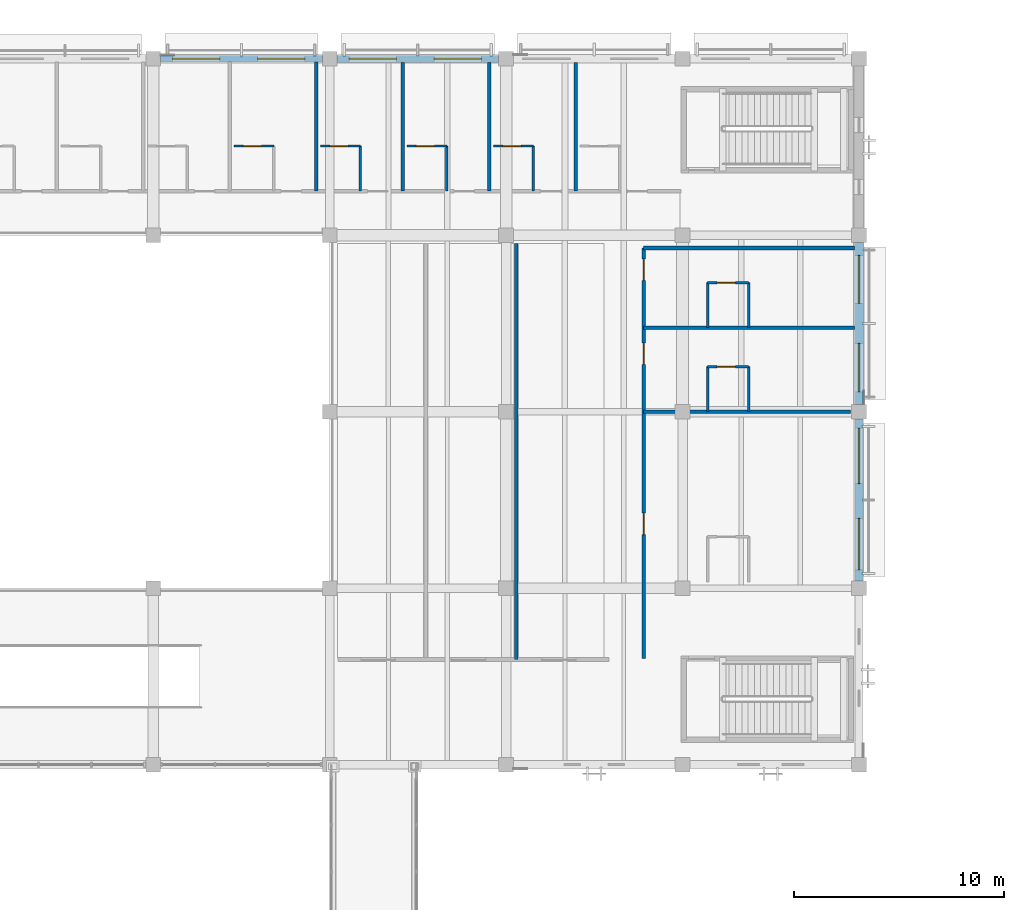
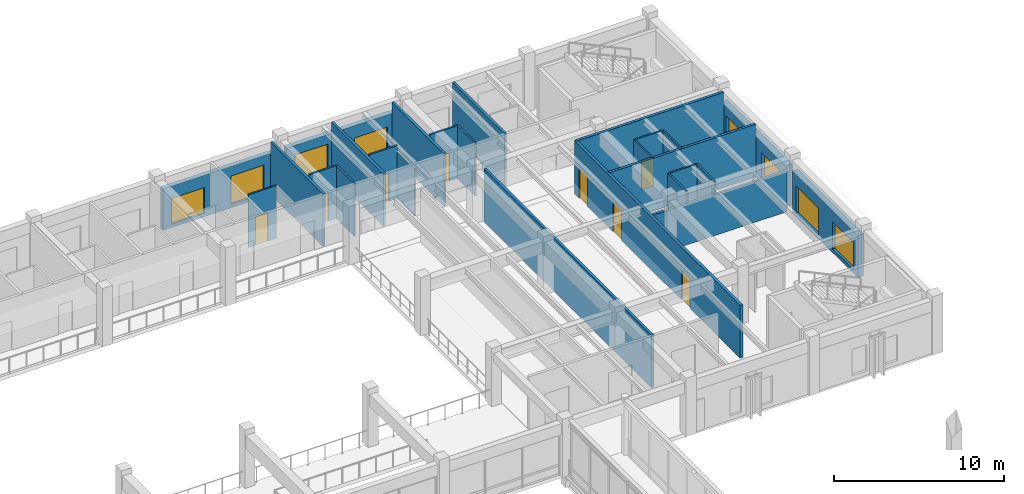
# One storey, part 97 of 132: 26 walls, 9 doors, 8 windows, 17 openings.
"""IFC4 building model written with IfcOpenShell, lengths in metres."""

from ifc_helpers import new_model, si_unit, direction, frame, frame_2d, origin, place, context, subcontext, project, spatial, rectangle, extrude, material, layer, layer_set, type_object, element, fill, save


model = new_model("IFC4")

# Units and contexts
model_context = context("Model", 3, precision=1e-05, world=origin(), true_north=direction((0.0, 1.0)))
body_context = subcontext(model_context, "Body", "Model", "MODEL_VIEW")
ifc_project = project(units=[si_unit("LENGTHUNIT", "METRE"), si_unit("AREAUNIT", "SQUARE_METRE"), si_unit("VOLUMEUNIT", "CUBIC_METRE"), si_unit("PLANEANGLEUNIT", "RADIAN"), si_unit("MASSUNIT", "GRAM", prefix="KILO")], contexts=[model_context])

# Site, building, storey
site_placement = place(None, origin())
site = spatial("IfcSite", under=ifc_project, at=site_placement, CompositionType="ELEMENT")
building_placement = place(site_placement, origin())
building = spatial("IfcBuilding", under=site, at=building_placement, Name="Cumbredor Promenade Congress Hotel", CompositionType="ELEMENT")
storey_placement = place(building_placement, frame((0.0, 0.0, 7.56005859375)))
storey = spatial("IfcBuildingStorey", under=building, at=storey_placement, Name="L02", CompositionType="ELEMENT", Elevation=7.56005859375)

# Wall, opening, door
ifc_material_1 = material(Name="Moisture-resistant gypsum board on steel studs", Category="steel")
ifc_layer_1 = layer(ifc_material_1, 0.114990234375, Name="Moisture-resistant gypsum board on steel studs", Category="steel")
ifc_layer_set_1 = layer_set([ifc_layer_1], Name="Moisture-resistant gypsum board on steel studs")
wall_type_1 = type_object("IfcWallType", Name="WL-BATH-115", PredefinedType="PARTITIONING", material=ifc_layer_set_1)
wall_1_placement = place(storey_placement, frame((146.639892578125, 113.449951171875, 0.0), z_axis=(0.0, 0.0, 1.0), x_axis=(1.0, 0.0, 0.0)))
wall_1 = element("IfcWall", 1, at=wall_1_placement, inside=storey, type_object=wall_type_1, Name="L02 Interior Partition W-L02-FBH-F0208", PredefinedType="PARTITIONING", context=body_context, shape_type="SweptSolid", body=[
    extrude(rectangle(XDim=1.900146484375, YDim=0.114990234375, at=frame_2d((0.9501953125, 0.0))), origin(), (0.0, 0.0, 1.0), 3.800048828125),
])
opening_1_placement = place(wall_1_placement, frame((0.449951171875, 0.0, 0.0)))
opening_1 = element("IfcOpeningElement", 2, at=opening_1_placement, cuts=wall_1, Name="Opening ID-01", PredefinedType="OPENING", context=body_context, shape_type="SweptSolid", body=[
    extrude(rectangle(XDim=0.860107421875, YDim=2.050048828125, at=frame_2d((0.43017578125, 1.02490234375))), frame((0.0, 0.0673828125, 0.0), z_axis=(0.0, -1.0, 0.0), x_axis=(1.0, 0.0, 0.0)), (0.0, 0.0, 1.0), 0.135009765625),
])
ifc_material_2 = material(Name="Kiln-dried tropical hardwood", Category="wood")
door_type_1 = type_object("IfcDoorType", Name="DR-BATH-860", OperationType="NOTDEFINED", PredefinedType="DOOR", material=ifc_material_2)
door_1_placement = place(opening_1_placement, origin())
door_1 = element("IfcDoor", 3, at=door_1_placement, inside=storey, type_object=door_type_1, Name="L02 Interior Door W-L02-FBH-F0208-01", OperationType="SINGLE_SWING_LEFT", OverallHeight=2.050048828125, OverallWidth=0.860107421875, PredefinedType="DOOR", context=body_context, shape_type="SweptSolid", body=[
    extrude(rectangle(XDim=0.860107421875, YDim=2.050048828125, at=frame_2d((0.43017578125, 1.02490234375))), frame((0.0, 0.02490234375, 0.0), z_axis=(0.0, -1.0, 0.0), x_axis=(1.0, 0.0, 0.0)), (0.0, 0.0, 1.0), 0.050048828125),
])
fill(opening_1, door_1)

wall_2_placement = place(storey_placement, frame((150.760009765625, 113.449951171875, 0.0), z_axis=(0.0, 0.0, 1.0), x_axis=(1.0, 0.0, 0.0)))
wall_2 = element("IfcWall", 4, at=wall_2_placement, inside=storey, type_object=wall_type_1, Name="L02 Interior Partition W-L02-FBH-F0209", PredefinedType="PARTITIONING", context=body_context, shape_type="SweptSolid", body=[
    extrude(rectangle(XDim=1.89990234375, YDim=0.114990234375, at=frame_2d((0.949951171875, 0.0))), origin(), (0.0, 0.0, 1.0), 3.800048828125),
])
opening_2_placement = place(wall_2_placement, frame((0.449951171875, 0.0, 0.0)))
opening_2 = element("IfcOpeningElement", 5, at=opening_2_placement, cuts=wall_2, Name="Opening ID-01", PredefinedType="OPENING", context=body_context, shape_type="SweptSolid", body=[
    extrude(rectangle(XDim=0.860107421875, YDim=2.050048828125, at=frame_2d((0.43017578125, 1.02490234375))), frame((0.0, 0.0673828125, 0.0), z_axis=(0.0, -1.0, 0.0), x_axis=(1.0, 0.0, 0.0)), (0.0, 0.0, 1.0), 0.135009765625),
])
door_2_placement = place(opening_2_placement, origin())
door_2 = element("IfcDoor", 6, at=door_2_placement, inside=storey, type_object=door_type_1, Name="L02 Interior Door W-L02-FBH-F0209-01", OperationType="SINGLE_SWING_RIGHT", OverallHeight=2.050048828125, OverallWidth=0.860107421875, PredefinedType="DOOR", context=body_context, shape_type="SweptSolid", body=[
    extrude(rectangle(XDim=0.860107421875, YDim=2.050048828125, at=frame_2d((0.43017578125, 1.02490234375))), frame((0.0, 0.02490234375, 0.0), z_axis=(0.0, -1.0, 0.0), x_axis=(1.0, 0.0, 0.0)), (0.0, 0.0, 1.0), 0.050048828125),
])
fill(opening_2, door_2)

# Wall
wall_3_placement = place(storey_placement, frame((152.659912109375, 111.300048828125, 0.0), z_axis=(0.0, 0.0, 1.0), x_axis=(0.0, 1.0, 0.0)))
element("IfcWall", 7, at=wall_3_placement, inside=storey, type_object=wall_type_1, Name="L02 Interior Partition W-L02-FBV-F0209", PredefinedType="PARTITIONING", context=body_context, shape_type="SweptSolid", body=[
    extrude(rectangle(XDim=2.14990234375, YDim=0.114990234375, at=frame_2d((1.074951171875, 0.0))), origin(), (0.0, 0.0, 1.0), 3.800048828125),
])

# Wall, opening, door
wall_4_placement = place(storey_placement, frame((154.8798828125, 113.449951171875, 0.0), z_axis=(0.0, 0.0, 1.0), x_axis=(1.0, 0.0, 0.0)))
wall_4 = element("IfcWall", 8, at=wall_4_placement, inside=storey, type_object=wall_type_1, Name="L02 Interior Partition W-L02-FBH-F0210", PredefinedType="PARTITIONING", context=body_context, shape_type="SweptSolid", body=[
    extrude(rectangle(XDim=1.900146484375, YDim=0.114990234375, at=frame_2d((0.9501953125, 0.0))), origin(), (0.0, 0.0, 1.0), 3.800048828125),
])
opening_3_placement = place(wall_4_placement, frame((0.449951171875, 0.0, 0.0)))
opening_3 = element("IfcOpeningElement", 9, at=opening_3_placement, cuts=wall_4, Name="Opening ID-01", PredefinedType="OPENING", context=body_context, shape_type="SweptSolid", body=[
    extrude(rectangle(XDim=0.860107421875, YDim=2.050048828125, at=frame_2d((0.43017578125, 1.02490234375))), frame((0.0, 0.0673828125, 0.0), z_axis=(0.0, -1.0, 0.0), x_axis=(1.0, 0.0, 0.0)), (0.0, 0.0, 1.0), 0.135009765625),
])
door_3_placement = place(opening_3_placement, origin())
door_3 = element("IfcDoor", 10, at=door_3_placement, inside=storey, type_object=door_type_1, Name="L02 Interior Door W-L02-FBH-F0210-01", OperationType="SINGLE_SWING_LEFT", OverallHeight=2.050048828125, OverallWidth=0.860107421875, PredefinedType="DOOR", context=body_context, shape_type="SweptSolid", body=[
    extrude(rectangle(XDim=0.860107421875, YDim=2.050048828125, at=frame_2d((0.43017578125, 1.02490234375))), frame((0.0, 0.02490234375, 0.0), z_axis=(0.0, -1.0, 0.0), x_axis=(1.0, 0.0, 0.0)), (0.0, 0.0, 1.0), 0.050048828125),
])
fill(opening_3, door_3)

# Wall
wall_5_placement = place(storey_placement, frame((156.780029296875, 111.300048828125, 0.0), z_axis=(0.0, 0.0, 1.0), x_axis=(0.0, 1.0, 0.0)))
element("IfcWall", 11, at=wall_5_placement, inside=storey, type_object=wall_type_1, Name="L02 Interior Partition W-L02-FBV-F0210", PredefinedType="PARTITIONING", context=body_context, shape_type="SweptSolid", body=[
    extrude(rectangle(XDim=2.14990234375, YDim=0.114990234375, at=frame_2d((1.074951171875, 0.0))), origin(), (0.0, 0.0, 1.0), 3.427978515625),
])

# Wall, opening, door
wall_6_placement = place(storey_placement, frame((159.0, 113.449951171875, 0.0), z_axis=(0.0, 0.0, 1.0), x_axis=(1.0, 0.0, 0.0)))
wall_6 = element("IfcWall", 12, at=wall_6_placement, inside=storey, type_object=wall_type_1, Name="L02 Interior Partition W-L02-FBH-F0211", PredefinedType="PARTITIONING", context=body_context, shape_type="SweptSolid", body=[
    extrude(rectangle(XDim=1.89990234375, YDim=0.114990234375, at=frame_2d((0.949951171875, 0.0))), origin(), (0.0, 0.0, 1.0), 3.800048828125),
])
opening_4_placement = place(wall_6_placement, frame((0.449951171875, 0.0, 0.0)))
opening_4 = element("IfcOpeningElement", 13, at=opening_4_placement, cuts=wall_6, Name="Opening ID-01", PredefinedType="OPENING", context=body_context, shape_type="SweptSolid", body=[
    extrude(rectangle(XDim=0.860107421875, YDim=2.050048828125, at=frame_2d((0.43017578125, 1.02490234375))), frame((0.0, 0.0673828125, 0.0), z_axis=(0.0, -1.0, 0.0), x_axis=(1.0, 0.0, 0.0)), (0.0, 0.0, 1.0), 0.135009765625),
])
door_4_placement = place(opening_4_placement, origin())
door_4 = element("IfcDoor", 14, at=door_4_placement, inside=storey, type_object=door_type_1, Name="L02 Interior Door W-L02-FBH-F0211-01", OperationType="SINGLE_SWING_RIGHT", OverallHeight=2.050048828125, OverallWidth=0.860107421875, PredefinedType="DOOR", context=body_context, shape_type="SweptSolid", body=[
    extrude(rectangle(XDim=0.860107421875, YDim=2.050048828125, at=frame_2d((0.43017578125, 1.02490234375))), frame((0.0, 0.02490234375, 0.0), z_axis=(0.0, -1.0, 0.0), x_axis=(1.0, 0.0, 0.0)), (0.0, 0.0, 1.0), 0.050048828125),
])
fill(opening_4, door_4)

# Wall
wall_7_placement = place(storey_placement, frame((160.89990234375, 111.300048828125, 0.0), z_axis=(0.0, 0.0, 1.0), x_axis=(0.0, 1.0, 0.0)))
element("IfcWall", 15, at=wall_7_placement, inside=storey, type_object=wall_type_1, Name="L02 Interior Partition W-L02-FBV-F0211", PredefinedType="PARTITIONING", context=body_context, shape_type="SweptSolid", body=[
    extrude(rectangle(XDim=2.14990234375, YDim=0.114990234375, at=frame_2d((1.074951171875, 0.0))), origin(), (0.0, 0.0, 1.0), 3.800048828125),
])

# Wall, opening, door
wall_8_placement = place(storey_placement, frame((169.199951171875, 102.949951171875, 0.0), z_axis=(0.0, 0.0, 1.0), x_axis=(1.0, 0.0, 0.0)))
wall_8 = element("IfcWall", 16, at=wall_8_placement, inside=storey, type_object=wall_type_1, Name="L02 Interior Partition W-L02-FEBH-E0202", PredefinedType="PARTITIONING", context=body_context, shape_type="SweptSolid", body=[
    extrude(rectangle(XDim=1.949951171875, YDim=0.114990234375, at=frame_2d((0.97509765625, 0.0))), origin(), (0.0, 0.0, 1.0), 3.800048828125),
])
opening_5_placement = place(wall_8_placement, frame((0.449951171875, 0.0, 0.0)))
opening_5 = element("IfcOpeningElement", 17, at=opening_5_placement, cuts=wall_8, Name="Opening ID-01", PredefinedType="OPENING", context=body_context, shape_type="SweptSolid", body=[
    extrude(rectangle(XDim=0.860107421875, YDim=2.050048828125, at=frame_2d((0.43017578125, 1.02490234375))), frame((0.0, 0.0673828125, 0.0), z_axis=(0.0, -1.0, 0.0), x_axis=(1.0, 0.0, 0.0)), (0.0, 0.0, 1.0), 0.135009765625),
])
door_5_placement = place(opening_5_placement, origin())
door_5 = element("IfcDoor", 18, at=door_5_placement, inside=storey, type_object=door_type_1, Name="L02 Interior Door W-L02-FEBH-E0202-01", OperationType="SINGLE_SWING_LEFT", OverallHeight=2.050048828125, OverallWidth=0.860107421875, PredefinedType="DOOR", context=body_context, shape_type="SweptSolid", body=[
    extrude(rectangle(XDim=0.860107421875, YDim=2.050048828125, at=frame_2d((0.43017578125, 1.02490234375))), frame((0.0, 0.02490234375, 0.0), z_axis=(0.0, -1.0, 0.0), x_axis=(1.0, 0.0, 0.0)), (0.0, 0.0, 1.0), 0.050048828125),
])
fill(opening_5, door_5)

# Walls
for number, where, z_axis, x_axis, name in (
    (19, (169.199951171875, 100.800048828125, 0.0), (0.0, 0.0, 1.0), (0.0, 1.0, 0.0), "L02 Interior Partition W-L02-FEBV1-E0202"),
    (20, (171.14990234375, 100.800048828125, 0.0), (0.0, 0.0, 1.0), (0.0, 1.0, 0.0), "L02 Interior Partition W-L02-FEBV2-E0202"),
):
    element("IfcWall", number, at=place(storey_placement, frame(where, z_axis=z_axis, x_axis=x_axis)), inside=storey, type_object=wall_type_1, Name=name, PredefinedType="PARTITIONING", context=body_context, shape_type="SweptSolid", body=[
        extrude(rectangle(XDim=2.14990234375, YDim=0.114990234375, at=frame_2d((1.074951171875, 0.0))), origin(), (0.0, 0.0, 1.0), 3.800048828125),
    ])

# Wall, opening, door
wall_9_placement = place(storey_placement, frame((169.199951171875, 106.949951171875, 0.0), z_axis=(0.0, 0.0, 1.0), x_axis=(1.0, 0.0, 0.0)))
wall_9 = element("IfcWall", 21, at=wall_9_placement, inside=storey, type_object=wall_type_1, Name="L02 Interior Partition W-L02-FEBH-E0203", PredefinedType="PARTITIONING", context=body_context, shape_type="SweptSolid", body=[
    extrude(rectangle(XDim=1.949951171875, YDim=0.114990234375, at=frame_2d((0.97509765625, 0.0))), origin(), (0.0, 0.0, 1.0), 3.800048828125),
])
opening_6_placement = place(wall_9_placement, frame((0.449951171875, 0.0, 0.0)))
opening_6 = element("IfcOpeningElement", 22, at=opening_6_placement, cuts=wall_9, Name="Opening ID-01", PredefinedType="OPENING", context=body_context, shape_type="SweptSolid", body=[
    extrude(rectangle(XDim=0.860107421875, YDim=2.050048828125, at=frame_2d((0.43017578125, 1.02490234375))), frame((0.0, 0.0673828125, 0.0), z_axis=(0.0, -1.0, 0.0), x_axis=(1.0, 0.0, 0.0)), (0.0, 0.0, 1.0), 0.135009765625),
])
door_6_placement = place(opening_6_placement, origin())
door_6 = element("IfcDoor", 23, at=door_6_placement, inside=storey, type_object=door_type_1, Name="L02 Interior Door W-L02-FEBH-E0203-01", OperationType="SINGLE_SWING_RIGHT", OverallHeight=2.050048828125, OverallWidth=0.860107421875, PredefinedType="DOOR", context=body_context, shape_type="SweptSolid", body=[
    extrude(rectangle(XDim=0.860107421875, YDim=2.050048828125, at=frame_2d((0.43017578125, 1.02490234375))), frame((0.0, 0.02490234375, 0.0), z_axis=(0.0, -1.0, 0.0), x_axis=(1.0, 0.0, 0.0)), (0.0, 0.0, 1.0), 0.050048828125),
])
fill(opening_6, door_6)

# Walls
for number, where, z_axis, x_axis, name in (
    (24, (169.199951171875, 104.800048828125, 0.0), (0.0, 0.0, 1.0), (0.0, 1.0, 0.0), "L02 Interior Partition W-L02-FEBV1-E0203"),
    (25, (171.14990234375, 104.800048828125, 0.0), (0.0, 0.0, 1.0), (0.0, 1.0, 0.0), "L02 Interior Partition W-L02-FEBV2-E0203"),
):
    element("IfcWall", number, at=place(storey_placement, frame(where, z_axis=z_axis, x_axis=x_axis)), inside=storey, type_object=wall_type_1, Name=name, PredefinedType="PARTITIONING", context=body_context, shape_type="SweptSolid", body=[
        extrude(rectangle(XDim=2.14990234375, YDim=0.114990234375, at=frame_2d((1.074951171875, 0.0))), origin(), (0.0, 0.0, 1.0), 3.800048828125),
    ])

# Wall, openings, doors
ifc_material_3 = material(Name="Fire-rated hotel corridor wall")
ifc_layer_2 = layer(ifc_material_3, 0.179931640625, Name="Fire-rated hotel corridor wall")
ifc_layer_set_2 = layer_set([ifc_layer_2], Name="Fire-rated hotel corridor wall")
wall_type_2 = type_object("IfcWallType", Name="WL-CORR-180", PredefinedType="PARTITIONING", material=ifc_layer_set_2)
wall_10_placement = place(storey_placement, frame((166.14990234375, 89.050048828125, 0.0), z_axis=(0.0, 0.0, 1.0), x_axis=(0.0, 1.0, 0.0)))
wall_10 = element("IfcWall", 26, at=wall_10_placement, inside=storey, type_object=wall_type_2, Name="L02 Interior Partition W-L02-FECORRW", PredefinedType="PARTITIONING", context=body_context, shape_type="SweptSolid", body=[
    extrude(rectangle(XDim=19.550048828125, YDim=0.179931640625, at=frame_2d((9.77490234375, 0.0))), origin(), (0.0, 0.0, 1.0), 3.800048828125),
])
opening_7_placement = place(wall_10_placement, frame((5.89990234375, 0.0, 0.0)))
opening_7 = element("IfcOpeningElement", 27, at=opening_7_placement, cuts=wall_10, Name="Opening FD-02", PredefinedType="OPENING", context=body_context, shape_type="SweptSolid", body=[
    extrude(rectangle(XDim=1.02001953125, YDim=2.14990234375, at=frame_2d((0.510009765625, 1.074951171875))), frame((0.0, 0.10009765625, 0.0), z_axis=(0.0, -1.0, 0.0), x_axis=(1.0, 0.0, 0.0)), (0.0, 0.0, 1.0), 0.199951171875),
])
opening_8_placement = place(wall_10_placement, frame((14.0, 0.0, 0.0)))
opening_8 = element("IfcOpeningElement", 28, at=opening_8_placement, cuts=wall_10, Name="Opening FD-02", PredefinedType="OPENING", context=body_context, shape_type="SweptSolid", body=[
    extrude(rectangle(XDim=1.02001953125, YDim=2.14990234375, at=frame_2d((0.510009765625, 1.074951171875))), frame((0.0, 0.10009765625, 0.0), z_axis=(0.0, -1.0, 0.0), x_axis=(1.0, 0.0, 0.0)), (0.0, 0.0, 1.0), 0.199951171875),
])
opening_9_placement = place(wall_10_placement, frame((18.0, 0.0, 0.0)))
opening_9 = element("IfcOpeningElement", 29, at=opening_9_placement, cuts=wall_10, Name="Opening FD-02", PredefinedType="OPENING", context=body_context, shape_type="SweptSolid", body=[
    extrude(rectangle(XDim=1.02001953125, YDim=2.14990234375, at=frame_2d((0.510009765625, 1.074951171875))), frame((0.0, 0.10009765625, 0.0), z_axis=(0.0, -1.0, 0.0), x_axis=(1.0, 0.0, 0.0)), (0.0, 0.0, 1.0), 0.199951171875),
])
ifc_material_4 = material(Name="Solid-core fire-rated tropical hardwood", Category="wood")
door_type_2 = type_object("IfcDoorType", Name="DR-GUEST-FD30-1000", OperationType="NOTDEFINED", PredefinedType="DOOR", material=ifc_material_4)
door_7_placement = place(opening_7_placement, origin())
door_7 = element("IfcDoor", 30, at=door_7_placement, inside=storey, type_object=door_type_2, Name="L02 Interior Door W-L02-FECORRW-01", OperationType="SINGLE_SWING_LEFT", OverallHeight=2.14990234375, OverallWidth=1.02001953125, PredefinedType="DOOR", context=body_context, shape_type="SweptSolid", body=[
    extrude(rectangle(XDim=1.02001953125, YDim=2.14990234375, at=frame_2d((0.510009765625, 1.074951171875))), frame((0.0, 0.02490234375, 0.0), z_axis=(0.0, -1.0, 0.0), x_axis=(1.0, 0.0, 0.0)), (0.0, 0.0, 1.0), 0.050048828125),
])
fill(opening_7, door_7)
door_8_placement = place(opening_8_placement, origin())
door_8 = element("IfcDoor", 31, at=door_8_placement, inside=storey, type_object=door_type_2, Name="L02 Interior Door W-L02-FECORRW-02", OperationType="SINGLE_SWING_RIGHT", OverallHeight=2.14990234375, OverallWidth=1.02001953125, PredefinedType="DOOR", context=body_context, shape_type="SweptSolid", body=[
    extrude(rectangle(XDim=1.02001953125, YDim=2.14990234375, at=frame_2d((0.510009765625, 1.074951171875))), frame((0.0, 0.02490234375, 0.0), z_axis=(0.0, -1.0, 0.0), x_axis=(1.0, 0.0, 0.0)), (0.0, 0.0, 1.0), 0.050048828125),
])
fill(opening_8, door_8)
door_9_placement = place(opening_9_placement, origin())
door_9 = element("IfcDoor", 32, at=door_9_placement, inside=storey, type_object=door_type_2, Name="L02 Interior Door W-L02-FECORRW-03", OperationType="SINGLE_SWING_LEFT", OverallHeight=2.14990234375, OverallWidth=1.02001953125, PredefinedType="DOOR", context=body_context, shape_type="SweptSolid", body=[
    extrude(rectangle(XDim=1.02001953125, YDim=2.14990234375, at=frame_2d((0.510009765625, 1.074951171875))), frame((0.0, 0.02490234375, 0.0), z_axis=(0.0, -1.0, 0.0), x_axis=(1.0, 0.0, 0.0)), (0.0, 0.0, 1.0), 0.050048828125),
])
fill(opening_9, door_9)

# Wall
wall_11_placement = place(storey_placement, frame((166.14990234375, 108.60009765625, 0.0), z_axis=(0.0, 0.0, 1.0), x_axis=(1.0, 0.0, 0.0)))
element("IfcWall", 33, at=wall_11_placement, inside=storey, type_object=wall_type_2, Name="L02 Interior Partition W-L02-FECORRN", PredefinedType="PARTITIONING", context=body_context, shape_type="SweptSolid", body=[
    extrude(rectangle(XDim=10.03759765625, YDim=0.179931640625, at=frame_2d((5.018798828125, 0.0))), origin(), (0.0, 0.0, 1.0), 3.800048828125),
])

# Wall, openings, windows
ifc_material_5 = material(Name="Concrete C40/50", Category="concrete")
ifc_layer_3 = layer(ifc_material_5, 0.300048828125, Name="Concrete C40/50", Category="concrete")
ifc_layer_set_3 = layer_set([ifc_layer_3], Name="Concrete C40/50")
wall_type_3 = type_object("IfcWallType", Name="WL-EXT-300", PredefinedType="SOLIDWALL", material=ifc_layer_set_3)
wall_12_placement = place(storey_placement, frame((143.15087890625, 117.60009765625, 0.0), z_axis=(0.0, 0.0, 1.0), x_axis=(1.0, 0.0, 0.0)))
wall_12 = element("IfcWall", 34, at=wall_12_placement, inside=storey, type_object=wall_type_3, Name="L02 Pre-Function and Breakout Meeting Forum North Envelope Wall 7", PredefinedType="SOLIDWALL", context=body_context, shape_type="SweptSolid", body=[
    extrude(rectangle(XDim=7.6982421875, YDim=0.300048828125, at=frame_2d((3.84912109375, 0.0))), origin(), (0.0, 0.0, 1.0), 2.98486328125),
])
opening_10_placement = place(wall_12_placement, frame((0.573974609375, 0.0, 0.25)))
opening_10 = element("IfcOpeningElement", 35, at=opening_10_placement, cuts=wall_12, Name="Opening WN-01", PredefinedType="OPENING", context=body_context, shape_type="SweptSolid", body=[
    extrude(rectangle(XDim=2.25, YDim=1.85009765625, at=frame_2d((1.125, 0.925048828125))), frame((0.0, 0.16015625, 0.0), z_axis=(0.0, -1.0, 0.0), x_axis=(1.0, 0.0, 0.0)), (0.0, 0.0, 1.0), 0.320068359375),
])
opening_11_placement = place(wall_12_placement, frame((4.6240234375, 0.0, 0.25)))
opening_11 = element("IfcOpeningElement", 36, at=opening_11_placement, cuts=wall_12, Name="Opening WN-13", PredefinedType="OPENING", context=body_context, shape_type="SweptSolid", body=[
    extrude(rectangle(XDim=2.25, YDim=2.050048828125, at=frame_2d((1.125, 1.02490234375))), frame((0.0, 0.16015625, 0.0), z_axis=(0.0, -1.0, 0.0), x_axis=(1.0, 0.0, 0.0)), (0.0, 0.0, 1.0), 0.320068359375),
])
ifc_material_6 = material(Name="Thermally broken anodized aluminium and low-E glass", Category="aluminium")
window_type_1 = type_object("IfcWindowType", Name="Hospitality Floor-to-Ceiling Window WN-01 2250x1850", PartitioningType="DOUBLE_PANEL_VERTICAL", PredefinedType="WINDOW", material=ifc_material_6)
window_1_placement = place(opening_10_placement, origin())
window_1 = element("IfcWindow", 37, at=window_1_placement, inside=storey, type_object=window_type_1, Name="L02 Wide Hospitality Window 0278", OverallHeight=1.85009765625, OverallWidth=2.25, PartitioningType="DOUBLE_PANEL_VERTICAL", PredefinedType="WINDOW", context=body_context, shape_type="SweptSolid", body=[
    extrude(rectangle(XDim=2.25, YDim=1.85009765625, at=frame_2d((1.125, 0.925048828125))), frame((0.0, 0.030029296875, 0.0), z_axis=(0.0, -1.0, 0.0), x_axis=(1.0, 0.0, 0.0)), (0.0, 0.0, 1.0), 0.06005859375),
])
fill(opening_10, window_1)
window_type_2 = type_object("IfcWindowType", Name="Hospitality Floor-to-Ceiling Window WN-13 2250x2050", PartitioningType="DOUBLE_PANEL_VERTICAL", PredefinedType="WINDOW", material=ifc_material_6)
window_2_placement = place(opening_11_placement, origin())
window_2 = element("IfcWindow", 38, at=window_2_placement, inside=storey, type_object=window_type_2, Name="L02 Wide Hospitality Window 0279", OverallHeight=2.050048828125, OverallWidth=2.25, PartitioningType="DOUBLE_PANEL_VERTICAL", PredefinedType="WINDOW", context=body_context, shape_type="SweptSolid", body=[
    extrude(rectangle(XDim=2.25, YDim=2.050048828125, at=frame_2d((1.125, 1.02490234375))), frame((0.0, 0.030029296875, 0.0), z_axis=(0.0, -1.0, 0.0), x_axis=(1.0, 0.0, 0.0)), (0.0, 0.0, 1.0), 0.06005859375),
])
fill(opening_11, window_2)

ifc_layer_4 = layer(ifc_material_5, 0.324951171875, Name="Concrete C40/50", Category="concrete")
ifc_layer_set_4 = layer_set([ifc_layer_4], Name="Concrete C40/50")
wall_type_4 = type_object("IfcWallType", Name="WL-EXT-325", PredefinedType="SOLIDWALL", material=ifc_layer_set_4)
wall_13_placement = place(storey_placement, frame((151.551025390625, 117.60009765625, 0.0), z_axis=(0.0, 0.0, 1.0), x_axis=(1.0, 0.0, 0.0)))
wall_13 = element("IfcWall", 39, at=wall_13_placement, inside=storey, type_object=wall_type_4, Name="L02 Pre-Function and Breakout Meeting Forum North Envelope Wall 8", PredefinedType="SOLIDWALL", context=body_context, shape_type="SweptSolid", body=[
    extrude(rectangle(XDim=7.697998046875, YDim=0.324951171875, at=frame_2d((3.84912109375, 0.0))), origin(), (0.0, 0.0, 1.0), 2.98486328125),
])
opening_12_placement = place(wall_13_placement, frame((0.573974609375, 0.0, 0.25)))
opening_12 = element("IfcOpeningElement", 40, at=opening_12_placement, cuts=wall_13, Name="Opening WN-13", PredefinedType="OPENING", context=body_context, shape_type="SweptSolid", body=[
    extrude(rectangle(XDim=2.25, YDim=2.050048828125, at=frame_2d((1.125, 1.02490234375))), frame((0.0, 0.17236328125, 0.0), z_axis=(0.0, -1.0, 0.0), x_axis=(1.0, 0.0, 0.0)), (0.0, 0.0, 1.0), 0.344970703125),
])
opening_13_placement = place(wall_13_placement, frame((4.6240234375, 0.0, 0.25)))
opening_13 = element("IfcOpeningElement", 41, at=opening_13_placement, cuts=wall_13, Name="Opening WN-01", PredefinedType="OPENING", context=body_context, shape_type="SweptSolid", body=[
    extrude(rectangle(XDim=2.25, YDim=1.85009765625, at=frame_2d((1.125, 0.925048828125))), frame((0.0, 0.17236328125, 0.0), z_axis=(0.0, -1.0, 0.0), x_axis=(1.0, 0.0, 0.0)), (0.0, 0.0, 1.0), 0.344970703125),
])
window_3_placement = place(opening_13_placement, origin())
window_3 = element("IfcWindow", 42, at=window_3_placement, inside=storey, type_object=window_type_1, Name="L02 Wide Hospitality Window 0281", OverallHeight=1.85009765625, OverallWidth=2.25, PartitioningType="DOUBLE_PANEL_VERTICAL", PredefinedType="WINDOW", context=body_context, shape_type="SweptSolid", body=[
    extrude(rectangle(XDim=2.25, YDim=1.85009765625, at=frame_2d((1.125, 0.925048828125))), frame((0.0, 0.030029296875, 0.0), z_axis=(0.0, -1.0, 0.0), x_axis=(1.0, 0.0, 0.0)), (0.0, 0.0, 1.0), 0.06005859375),
])
fill(opening_13, window_3)
window_4_placement = place(opening_12_placement, origin())
window_4 = element("IfcWindow", 43, at=window_4_placement, inside=storey, type_object=window_type_2, Name="L02 Wide Hospitality Window 0280", OverallHeight=2.050048828125, OverallWidth=2.25, PartitioningType="DOUBLE_PANEL_VERTICAL", PredefinedType="WINDOW", context=body_context, shape_type="SweptSolid", body=[
    extrude(rectangle(XDim=2.25, YDim=2.050048828125, at=frame_2d((1.125, 1.02490234375))), frame((0.0, 0.030029296875, 0.0), z_axis=(0.0, -1.0, 0.0), x_axis=(1.0, 0.0, 0.0)), (0.0, 0.0, 1.0), 0.06005859375),
])
fill(opening_12, window_4)

ifc_layer_5 = layer(ifc_material_5, 0.3798828125, Name="Concrete C40/50", Category="concrete")
ifc_layer_set_5 = layer_set([ifc_layer_5], Name="Concrete C40/50")
wall_type_5 = type_object("IfcWallType", Name="WL-EXT-380", PredefinedType="SOLIDWALL", material=ifc_layer_set_5)
wall_14_placement = place(storey_placement, frame((176.39990234375, 92.7509765625, 0.0), z_axis=(0.0, 0.0, 1.0), x_axis=(0.0, 1.0, 0.0)))
wall_14 = element("IfcWall", 44, at=wall_14_placement, inside=storey, type_object=wall_type_5, Name="L02 Pre-Function and Breakout Meeting Forum East Envelope Wall 2", PredefinedType="SOLIDWALL", context=body_context, shape_type="SweptSolid", body=[
    extrude(rectangle(XDim=7.697998046875, YDim=0.3798828125, at=frame_2d((3.84912109375, 0.0))), origin(), (0.0, 0.0, 1.0), 3.034912109375),
])
opening_14_placement = place(wall_14_placement, frame((0.52392578125, 0.0, 0.25)))
opening_14 = element("IfcOpeningElement", 45, at=opening_14_placement, cuts=wall_14, Name="Opening WN-09", PredefinedType="OPENING", context=body_context, shape_type="SweptSolid", body=[
    extrude(rectangle(XDim=2.449951171875, YDim=1.949951171875, at=frame_2d((1.22509765625, 0.97509765625))), frame((0.0, 0.199951171875, 0.0), z_axis=(0.0, -1.0, 0.0), x_axis=(1.0, 0.0, 0.0)), (0.0, 0.0, 1.0), 0.39990234375),
])
opening_15_placement = place(wall_14_placement, frame((4.6240234375, 0.0, 0.25)))
opening_15 = element("IfcOpeningElement", 46, at=opening_15_placement, cuts=wall_14, Name="Opening WN-11", PredefinedType="OPENING", context=body_context, shape_type="SweptSolid", body=[
    extrude(rectangle(XDim=2.64990234375, YDim=1.949951171875, at=frame_2d((1.324951171875, 0.97509765625))), frame((0.0, 0.199951171875, 0.0), z_axis=(0.0, -1.0, 0.0), x_axis=(1.0, 0.0, 0.0)), (0.0, 0.0, 1.0), 0.39990234375),
])
window_type_3 = type_object("IfcWindowType", Name="Hospitality Floor-to-Ceiling Window WN-09 2450x1950", PartitioningType="DOUBLE_PANEL_VERTICAL", PredefinedType="WINDOW", material=ifc_material_6)
window_5_placement = place(opening_14_placement, origin())
window_5 = element("IfcWindow", 47, at=window_5_placement, inside=storey, type_object=window_type_3, Name="L02 Wide Hospitality Window 0292", OverallHeight=1.949951171875, OverallWidth=2.449951171875, PartitioningType="DOUBLE_PANEL_VERTICAL", PredefinedType="WINDOW", context=body_context, shape_type="SweptSolid", body=[
    extrude(rectangle(XDim=2.449951171875, YDim=1.949951171875, at=frame_2d((1.22509765625, 0.97509765625))), frame((0.0, 0.030029296875, 0.0), z_axis=(0.0, -1.0, 0.0), x_axis=(1.0, 0.0, 0.0)), (0.0, 0.0, 1.0), 0.06005859375),
])
fill(opening_14, window_5)
window_type_4 = type_object("IfcWindowType", Name="Hospitality Floor-to-Ceiling Window WN-11 2650x1950", PartitioningType="DOUBLE_PANEL_VERTICAL", PredefinedType="WINDOW", material=ifc_material_6)
window_6_placement = place(opening_15_placement, origin())
window_6 = element("IfcWindow", 48, at=window_6_placement, inside=storey, type_object=window_type_4, Name="L02 Wide Hospitality Window 0293", OverallHeight=1.949951171875, OverallWidth=2.64990234375, PartitioningType="DOUBLE_PANEL_VERTICAL", PredefinedType="WINDOW", context=body_context, shape_type="SweptSolid", body=[
    extrude(rectangle(XDim=2.64990234375, YDim=1.949951171875, at=frame_2d((1.324951171875, 0.97509765625))), frame((0.0, 0.030029296875, 0.0), z_axis=(0.0, -1.0, 0.0), x_axis=(1.0, 0.0, 0.0)), (0.0, 0.0, 1.0), 0.06005859375),
])
fill(opening_15, window_6)

ifc_layer_6 = layer(ifc_material_5, 0.425048828125, Name="Concrete C40/50", Category="concrete")
ifc_layer_set_6 = layer_set([ifc_layer_6], Name="Concrete C40/50")
wall_type_6 = type_object("IfcWallType", Name="WL-EXT-425", PredefinedType="SOLIDWALL", material=ifc_layer_set_6)
wall_15_placement = place(storey_placement, frame((176.39990234375, 101.15087890625, 0.0), z_axis=(0.0, 0.0, 1.0), x_axis=(0.0, 1.0, 0.0)))
wall_15 = element("IfcWall", 49, at=wall_15_placement, inside=storey, type_object=wall_type_6, Name="L02 Pre-Function and Breakout Meeting Forum East Envelope Wall 3", PredefinedType="SOLIDWALL", context=body_context, shape_type="SweptSolid", body=[
    extrude(rectangle(XDim=7.6982421875, YDim=0.425048828125, at=frame_2d((3.84912109375, 0.0))), origin(), (0.0, 0.0, 1.0), 2.93505859375),
])
opening_16_placement = place(wall_15_placement, frame((0.589111328125, 0.0, 0.25)))
opening_16 = element("IfcOpeningElement", 50, at=opening_16_placement, cuts=wall_15, Name="Opening WN-36", PredefinedType="OPENING", context=body_context, shape_type="SweptSolid", body=[
    extrude(rectangle(XDim=2.320068359375, YDim=1.89990234375, at=frame_2d((1.16015625, 0.949951171875))), frame((0.0, 0.22265625, 0.0), z_axis=(0.0, -1.0, 0.0), x_axis=(1.0, 0.0, 0.0)), (0.0, 0.0, 1.0), 0.445068359375),
])
opening_17_placement = place(wall_15_placement, frame((4.80908203125, 0.0, 0.25)))
opening_17 = element("IfcOpeningElement", 51, at=opening_17_placement, cuts=wall_15, Name="Opening WN-40", PredefinedType="OPENING", context=body_context, shape_type="SweptSolid", body=[
    extrude(rectangle(XDim=2.280029296875, YDim=2.0, at=frame_2d((1.14013671875, 1.0))), frame((0.0, 0.22265625, 0.0), z_axis=(0.0, -1.0, 0.0), x_axis=(1.0, 0.0, 0.0)), (0.0, 0.0, 1.0), 0.445068359375),
])
window_type_5 = type_object("IfcWindowType", Name="Hospitality Floor-to-Ceiling Window WN-36 2320x1900", PartitioningType="DOUBLE_PANEL_VERTICAL", PredefinedType="WINDOW", material=ifc_material_6)
window_7_placement = place(opening_16_placement, origin())
window_7 = element("IfcWindow", 52, at=window_7_placement, inside=storey, type_object=window_type_5, Name="L02 Wide Hospitality Window 0294", OverallHeight=1.89990234375, OverallWidth=2.320068359375, PartitioningType="DOUBLE_PANEL_VERTICAL", PredefinedType="WINDOW", context=body_context, shape_type="SweptSolid", body=[
    extrude(rectangle(XDim=2.320068359375, YDim=1.89990234375, at=frame_2d((1.16015625, 0.949951171875))), frame((0.0, 0.030029296875, 0.0), z_axis=(0.0, -1.0, 0.0), x_axis=(1.0, 0.0, 0.0)), (0.0, 0.0, 1.0), 0.06005859375),
])
fill(opening_16, window_7)
window_type_6 = type_object("IfcWindowType", Name="Hospitality Floor-to-Ceiling Window WN-40 2280x2000", PartitioningType="DOUBLE_PANEL_VERTICAL", PredefinedType="WINDOW", material=ifc_material_6)
window_8_placement = place(opening_17_placement, origin())
window_8 = element("IfcWindow", 53, at=window_8_placement, inside=storey, type_object=window_type_6, Name="L02 Wide Hospitality Window 0295", OverallHeight=2.0, OverallWidth=2.280029296875, PartitioningType="DOUBLE_PANEL_VERTICAL", PredefinedType="WINDOW", context=body_context, shape_type="SweptSolid", body=[
    extrude(rectangle(XDim=2.280029296875, YDim=2.0, at=frame_2d((1.14013671875, 1.0))), frame((0.0, 0.030029296875, 0.0), z_axis=(0.0, -1.0, 0.0), x_axis=(1.0, 0.0, 0.0)), (0.0, 0.0, 1.0), 0.06005859375),
])
fill(opening_17, window_8)

# Walls
ifc_material_7 = material(Name="Fire-rated acoustic double-stud partition")
ifc_layer_7 = layer(ifc_material_7, 0.1650390625, Name="Fire-rated acoustic double-stud partition")
ifc_layer_set_7 = layer_set([ifc_layer_7], Name="Fire-rated acoustic double-stud partition")
wall_type_7 = type_object("IfcWallType", Name="WL-UNIT-165", PredefinedType="PARTITIONING", material=ifc_layer_set_7)
wall_16_placement = place(storey_placement, frame((160.080078125, 89.0, 0.0), z_axis=(0.0, 0.0, 1.0), x_axis=(0.0, 1.0, 0.0)))
element("IfcWall", 54, at=wall_16_placement, inside=storey, type_object=wall_type_7, Name="L02 Interior Partition W-L02-V4-EDIV-2", PredefinedType="PARTITIONING", context=body_context, shape_type="SweptSolid", body=[
    extrude(rectangle(XDim=19.800048828125, YDim=0.1650390625, at=frame_2d((9.89990234375, 0.0))), origin(), (0.0, 0.0, 1.0), 3.800048828125),
])
wall_17_placement = place(storey_placement, frame((150.56005859375, 111.300048828125, 0.0), z_axis=(0.0, 0.0, 1.0), x_axis=(0.0, 1.0, 0.0)))
element("IfcWall", 55, at=wall_17_placement, inside=storey, type_object=wall_type_7, Name="L02 Interior Partition W-L02-FDIV-8", PredefinedType="PARTITIONING", context=body_context, shape_type="SweptSolid", body=[
    extrude(rectangle(XDim=6.14990234375, YDim=0.1650390625, at=frame_2d((3.074951171875, 0.0))), origin(), (0.0, 0.0, 1.0), 3.800048828125),
])
for number, where, z_axis, x_axis, name in (
    (56, (154.679931640625, 111.300048828125, 0.0), (0.0, 0.0, 1.0), (0.0, 1.0, 0.0), "L02 Interior Partition W-L02-FDIV-9"),
    (57, (158.800048828125, 111.300048828125, 0.0), (0.0, 0.0, 1.0), (0.0, 1.0, 0.0), "L02 Interior Partition W-L02-FDIV-10"),
):
    element("IfcWall", number, at=place(storey_placement, frame(where, z_axis=z_axis, x_axis=x_axis)), inside=storey, type_object=wall_type_7, Name=name, PredefinedType="PARTITIONING", context=body_context, shape_type="SweptSolid", body=[
        extrude(rectangle(XDim=6.137451171875, YDim=0.1650390625, at=frame_2d((3.06884765625, 0.0))), origin(), (0.0, 0.0, 1.0), 3.800048828125),
    ])
wall_18_placement = place(storey_placement, frame((162.919921875, 111.300048828125, 0.0), z_axis=(0.0, 0.0, 1.0), x_axis=(0.0, 1.0, 0.0)))
element("IfcWall", 58, at=wall_18_placement, inside=storey, type_object=wall_type_7, Name="L02 Interior Partition W-L02-FDIV-11", PredefinedType="PARTITIONING", context=body_context, shape_type="SweptSolid", body=[
    extrude(rectangle(XDim=6.125, YDim=0.1650390625, at=frame_2d((3.0625, 0.0))), origin(), (0.0, 0.0, 1.0), 3.800048828125),
])
wall_19_placement = place(storey_placement, frame((166.14990234375, 100.800048828125, 0.0), z_axis=(0.0, 0.0, 1.0), x_axis=(1.0, 0.0, 0.0)))
element("IfcWall", 59, at=wall_19_placement, inside=storey, type_object=wall_type_7, Name="L02 Interior Partition W-L02-FEDIV-1", PredefinedType="PARTITIONING", context=body_context, shape_type="SweptSolid", body=[
    extrude(rectangle(XDim=9.85009765625, YDim=0.1650390625, at=frame_2d((4.925048828125, 0.0))), origin(), (0.0, 0.0, 1.0), 2.93505859375),
])
wall_20_placement = place(storey_placement, frame((166.14990234375, 104.800048828125, 0.0), z_axis=(0.0, 0.0, 1.0), x_axis=(1.0, 0.0, 0.0)))
element("IfcWall", 60, at=wall_20_placement, inside=storey, type_object=wall_type_7, Name="L02 Interior Partition W-L02-FEDIV-2", PredefinedType="PARTITIONING", context=body_context, shape_type="SweptSolid", body=[
    extrude(rectangle(XDim=10.03759765625, YDim=0.1650390625, at=frame_2d((5.018798828125, 0.0))), origin(), (0.0, 0.0, 1.0), 3.800048828125),
])

save(model, "model.ifc")
